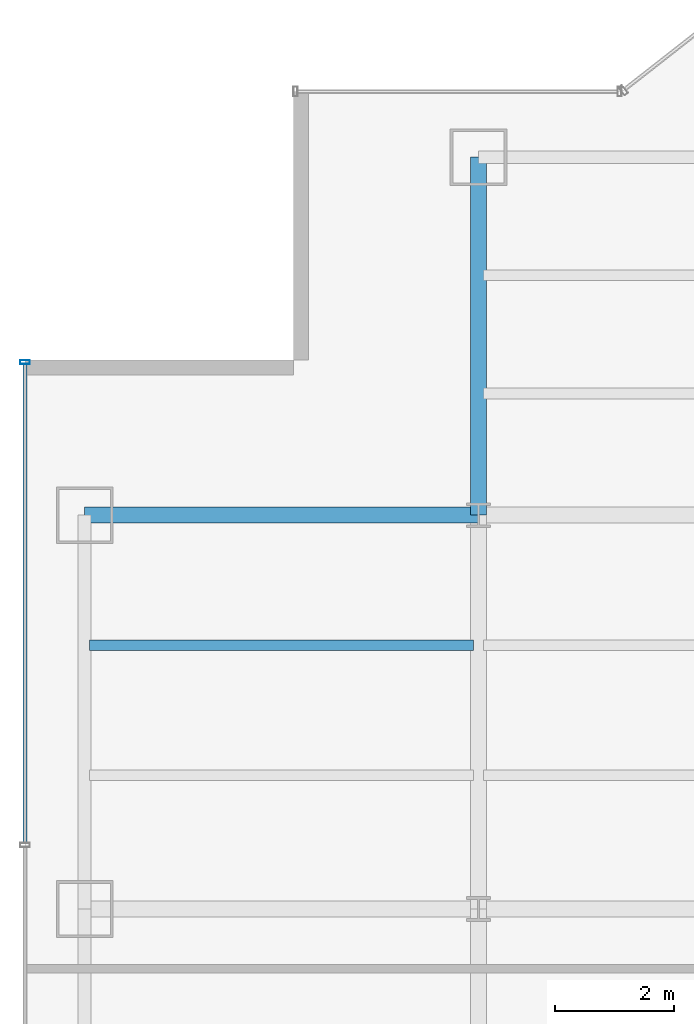
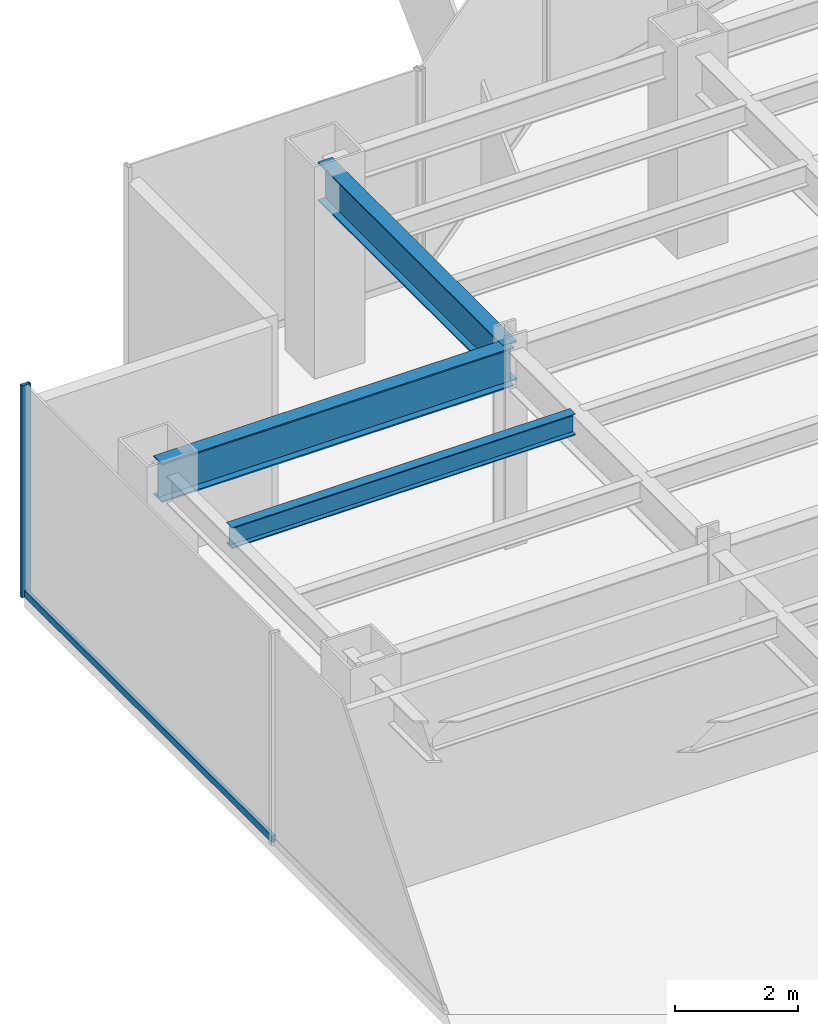
# One storey, part 16 of 35: 3 beams, 2 members, 1 element without a shape of its own.
"""IFC4 building model written with IfcOpenShell, lengths in metres."""

import ifcopenshell
import ifcopenshell.guid

model = None  # the IFC model being written
_history = None  # IfcOwnerHistory: only IFC2X3 demands one
_inside = {}  # id of a spatial element -> (the spatial element, [elements in it])
_under = {}  # id of a project, library or spatial element -> (it, [spatial elements below it])
_declared = {}  # id of a project -> (the project, [libraries it declares])
_typed = {}  # id of a type object -> (the type object, [elements of that type])
_made_of = {}  # id of a material, layer set ... -> (it, [elements and type objects made of it])


def new_model(schema):
    """Start an empty IFC model of exactly this schema.

    Asked for "IFC4X3", IfcOpenShell would pick the latest addendum, in which some entities
    have other attributes; the version numbers below select the first issue.
    IFC2X3 requires an IfcOwnerHistory on every rooted entity: one is made here for all.
    """
    global model, _history
    if schema == "IFC4X3":
        model = ifcopenshell.file(schema_version=(4, 3, 0, 0))
    else:
        model = ifcopenshell.file(schema=schema)
    _inside.clear()
    _under.clear()
    _declared.clear()
    _typed.clear()
    _made_of.clear()
    _history = None
    if model.schema == "IFC2X3":
        org = make("IfcOrganization", Name="unknown")
        user = make(
            "IfcPersonAndOrganization",
            ThePerson=make("IfcPerson", FamilyName="unknown"),
            TheOrganization=org,
        )
        app = make(
            "IfcApplication",
            ApplicationDeveloper=org,
            Version="unknown",
            ApplicationFullName="unknown",
            ApplicationIdentifier="unknown",
        )
        _history = make(
            "IfcOwnerHistory",
            OwningUser=user,
            OwningApplication=app,
            ChangeAction="ADDED",
            CreationDate=0,
        )
    return model


def make(cls, **values):
    """One entity of the class cls with the attributes given. An attribute that is None is left unset."""
    return model.create_entity(
        cls, **{name: value for name, value in values.items() if value is not None}
    )


def rooted(cls, **values):
    """An entity with a GlobalId (a new one), such as an element, a storey or a relation."""
    return make(cls, GlobalId=ifcopenshell.guid.new(), OwnerHistory=_history, **values)


def si_unit(unit_type, name, prefix=None):
    """IfcSIUnit, for example si_unit("LENGTHUNIT", "METRE", prefix="MILLI")."""
    return make("IfcSIUnit", UnitType=unit_type, Prefix=prefix, Name=name)


def derived_unit(unit_type, elements):
    """IfcDerivedUnit: a product of units, each with its exponent."""
    return make(
        "IfcDerivedUnit",
        Elements=[
            make("IfcDerivedUnitElement", Unit=unit, Exponent=power)
            for unit, power in elements
        ],
        UnitType=unit_type,
    )


def assignment(units):
    """IfcUnitAssignment: the units of a project."""
    return None if units is None else make("IfcUnitAssignment", Units=units)


def point(xyz):
    """IfcCartesianPoint."""
    return None if xyz is None else make("IfcCartesianPoint", Coordinates=xyz)


def direction(xyz):
    """IfcDirection."""
    return None if xyz is None else make("IfcDirection", DirectionRatios=xyz)


def frame(location, z_axis=None, x_axis=None):
    """IfcAxis2Placement3D, a coordinate frame: its origin and axes. An axis left out is left unset."""
    return make(
        "IfcAxis2Placement3D",
        Location=point(location),
        Axis=direction(z_axis),
        RefDirection=direction(x_axis),
    )


def frame_2d(location, x_axis=None):
    """IfcAxis2Placement2D, a coordinate frame in the plane: its origin and x axis."""
    return make(
        "IfcAxis2Placement2D", Location=point(location), RefDirection=direction(x_axis)
    )


def origin():
    """The frame at (0, 0, 0) with its axes left unset."""
    return frame((0.0, 0.0, 0.0))


def origin_2d():
    """The frame at (0, 0) in the plane with its x axis left unset."""
    return frame_2d((0.0, 0.0))


def place(relative_to, where):
    """IfcLocalPlacement: puts the frame where relative to a parent placement (None: the world)."""
    return make(
        "IfcLocalPlacement", PlacementRelTo=relative_to, RelativePlacement=where
    )


def context(
    kind, dimensions, precision=None, world=None, true_north=None, identifier=None
):
    """IfcGeometricRepresentationContext, for example the 3D "Model" context."""
    return make(
        "IfcGeometricRepresentationContext",
        ContextIdentifier=identifier,
        ContextType=kind,
        CoordinateSpaceDimension=dimensions,
        Precision=precision,
        WorldCoordinateSystem=world,
        TrueNorth=true_north,
    )


def subcontext(parent, identifier, kind, view, scale=None):
    """IfcGeometricRepresentationSubContext, for example "Body" below "Model"."""
    return make(
        "IfcGeometricRepresentationSubContext",
        ContextIdentifier=identifier,
        ContextType=kind,
        ParentContext=parent,
        TargetScale=scale,
        TargetView=view,
    )


def project(units=None, contexts=None):
    """IfcProject with its units and contexts."""
    return rooted(
        "IfcProject",
        Name="project",
        RepresentationContexts=contexts,
        UnitsInContext=assignment(units),
    )


def spatial(cls, under=None, at=None, **own):
    """A site, building, storey or space (cls), placed at a placement, below another one or the project."""
    s = rooted(cls, ObjectPlacement=at, **own)
    if under is not None:
        _under.setdefault(under.id(), (under, []))[1].append(s)
    return s


def profile(cls, at=None, kind="AREA", **sizes):
    """A parametric profile (cls). Its sizes go by their IFC names, for example OverallWidth=200.0."""
    return make(cls, ProfileType=kind, Position=at, **sizes)


def hollow_rectangle(**sizes):
    """IfcRectangleHollowProfileDef."""
    return profile("IfcRectangleHollowProfileDef", **sizes)


def i_section(**sizes):
    """IfcIShapeProfileDef."""
    return profile("IfcIShapeProfileDef", **sizes)


def extrude(swept, where, along, depth):
    """IfcExtrudedAreaSolid: the profile swept, set in the frame where, extruded along a direction by depth."""
    return make(
        "IfcExtrudedAreaSolid",
        SweptArea=swept,
        Position=where,
        ExtrudedDirection=direction(along),
        Depth=depth,
    )


def shape(context_of_items, identifier, shape_type, items):
    """IfcShapeRepresentation: the items that make up one representation, for example the "Body"."""
    return make(
        "IfcShapeRepresentation",
        ContextOfItems=context_of_items,
        RepresentationIdentifier=identifier,
        RepresentationType=shape_type,
        Items=items,
    )


def source(mapping_origin, context_of_items, identifier, shape_type, items):
    """IfcRepresentationMap: a shape defined once, which mapped items show again and again."""
    return make(
        "IfcRepresentationMap",
        MappingOrigin=mapping_origin,
        MappedRepresentation=shape(context_of_items, identifier, shape_type, items),
    )


def transform(
    local_origin,
    x_axis=None,
    y_axis=None,
    z_axis=None,
    scale=None,
    scale2=None,
    scale3=None,
    uniform=True,
):
    """IfcCartesianTransformationOperator3D, or its non-uniform kind. x_axis, y_axis, z_axis: its Axis1, 2, 3."""
    if uniform:
        return make(
            "IfcCartesianTransformationOperator3D",
            Axis1=direction(x_axis),
            Axis2=direction(y_axis),
            LocalOrigin=point(local_origin),
            Scale=scale,
            Axis3=direction(z_axis),
        )
    return make(
        "IfcCartesianTransformationOperator3DnonUniform",
        Axis1=direction(x_axis),
        Axis2=direction(y_axis),
        LocalOrigin=point(local_origin),
        Scale=scale,
        Axis3=direction(z_axis),
        Scale2=scale2,
        Scale3=scale3,
    )


def mapped(mapping_source, mapping_target):
    """IfcMappedItem: shows the shape of a source again, moved by a transform."""
    return make(
        "IfcMappedItem", MappingSource=mapping_source, MappingTarget=mapping_target
    )


def material(Name=None, Category=None):
    """IfcMaterial."""
    return make("IfcMaterial", Name=Name, Category=Category)


def material_profile(
    of_material, cross_section, Name=None, Category=None, Priority=None
):
    """IfcMaterialProfile: a cross section and its material."""
    return make(
        "IfcMaterialProfile",
        Name=Name,
        Material=of_material,
        Profile=cross_section,
        Priority=Priority,
        Category=Category,
    )


def profile_set(profiles, Name=None, composite=None):
    """IfcMaterialProfileSet."""
    return make(
        "IfcMaterialProfileSet",
        Name=Name,
        MaterialProfiles=profiles,
        CompositeProfile=composite,
    )


def made_of(thing, what):
    """Note that an element or type object is made of a material, layer set ...; save() writes the relation."""
    if what is not None:
        _made_of.setdefault(what.id(), (what, []))[1].append(thing)
    return thing


def type_object(cls, material=None, **own):
    """A type object (cls), such as IfcWallType, which elements share."""
    return made_of(rooted(cls, **own), material)


def element(
    cls,
    number,
    at=None,
    inside=None,
    cuts=None,
    type_object=None,
    material=None,
    context=None,
    identifier="Body",
    shape_type=None,
    held_by="IfcProductDefinitionShape",
    body=None,
    shapes=None,
    **own,
):
    """One element of the class cls, such as IfcWall. Its Tag is "e" and its number.

    at: its placement. inside: the storey or other place that contains it. cuts: it is an
    opening in that element (IfcRelVoidsElement). A single representation is given by context,
    identifier, shape_type and body (its items); several are given by shapes. held_by: the class
    of the entity that holds the representations. save() writes the other relations.
    """
    e = rooted(cls, Tag="e%d" % number, ObjectPlacement=at, **own)
    if body is not None:
        shapes = [shape(context, identifier, shape_type, body)]
    if shapes is not None:
        e.Representation = make(held_by, Representations=shapes)
    if inside is not None:
        _inside.setdefault(inside.id(), (inside, []))[1].append(e)
    if cuts is not None:
        rooted(
            "IfcRelVoidsElement", RelatingBuildingElement=cuts, RelatedOpeningElement=e
        )
    if type_object is not None:
        _typed.setdefault(type_object.id(), (type_object, []))[1].append(e)
    return made_of(e, material)


def aggregate(whole, parts):
    """IfcRelAggregates: a whole, such as a stair, and the parts it consists of."""
    return rooted("IfcRelAggregates", RelatingObject=whole, RelatedObjects=parts)


def save(model, path):
    """Write the relations noted so far, then the file.

    IfcRelAggregates (storeys below a building ...), IfcRelContainedInSpatialStructure (elements
    in a storey), IfcRelDefinesByType, IfcRelAssociatesMaterial and IfcRelDeclares: one each for
    every whole, place, type object, material and project.
    """
    for whole, parts in _under.values():
        aggregate(whole, parts)
    for where, things in _inside.values():
        rooted(
            "IfcRelContainedInSpatialStructure",
            RelatedElements=things,
            RelatingStructure=where,
        )
    for kind, things in _typed.values():
        rooted("IfcRelDefinesByType", RelatedObjects=things, RelatingType=kind)
    for what, things in _made_of.values():
        rooted("IfcRelAssociatesMaterial", RelatedObjects=things, RelatingMaterial=what)
    for by, libraries in _declared.values():
        rooted("IfcRelDeclares", RelatingContext=by, RelatedDefinitions=libraries)
    model.write(path)


model = new_model("IFC4")

# Units and contexts
model_context = context("Model", 3, precision=1e-05, world=origin(), true_north=direction((0.0, 1.0)))
body_context = subcontext(model_context, "Body", "Model", "MODEL_VIEW")
ifc_project = project(units=[si_unit("LENGTHUNIT", "METRE"), si_unit("AREAUNIT", "SQUARE_METRE"), si_unit("VOLUMEUNIT", "CUBIC_METRE"), si_unit("PLANEANGLEUNIT", "RADIAN"), si_unit("MASSUNIT", "GRAM", prefix="KILO"), derived_unit("THERMALTRANSMITTANCEUNIT", [(si_unit("POWERUNIT", "WATT"), 1), (si_unit("LENGTHUNIT", "METRE"), -2), (si_unit("THERMODYNAMICTEMPERATUREUNIT", "KELVIN"), -1)])], contexts=[model_context])

# Site, building, storey
site_placement = place(None, origin())
site = spatial("IfcSite", under=ifc_project, at=site_placement, CompositionType="ELEMENT")
building_placement = place(site_placement, origin())
building = spatial("IfcBuilding", under=site, at=building_placement, Name="Skarnbrae Concourse Arena and Tower", CompositionType="ELEMENT")
storey_placement = place(building_placement, frame((0.0, 0.0, 79.949951171875)))
storey = spatial("IfcBuildingStorey", under=building, at=storey_placement, Name="L19", CompositionType="ELEMENT", Elevation=79.949951171875)

# Beams
ifc_material_1 = material(Name="Steel CSA G40.21 350W", Category="steel")
ifc_material_profile_1 = material_profile(ifc_material_1, i_section(OverallWidth=0.26806640625, OverallDepth=0.77001953125, WebThickness=0.015625, FlangeThickness=0.025390625, at=origin_2d()), Name="W760X196")
ifc_profile_set_1 = profile_set([ifc_material_profile_1], Name="Steel CSA G40.21 350W")
beam_type_1 = type_object("IfcBeamType", Name="BM-GIRD-W760X196", PredefinedType="BEAM", material=ifc_profile_set_1)
shared_shape_1 = source(origin(), body_context, "Body", "SweptSolid", [
    extrude(i_section(OverallWidth=0.26806640625, OverallDepth=0.77001953125, WebThickness=0.015625, FlangeThickness=0.025390625, at=origin_2d()), origin(), (0.0, 0.0, 1.0), 6.60009765625),
])
beam_1_placement = place(storey_placement, frame((1.0, 34.39990234375, 3.51513671875), z_axis=(1.0, 0.0, 0.0), x_axis=(0.0, 1.0, 0.0)))
element("IfcBeam", 1, at=beam_1_placement, inside=storey, type_object=beam_type_1, Name="L19 Primary E-W girder Y34.4-1", PredefinedType="BEAM", context=body_context, shape_type="MappedRepresentation", body=[
    mapped(shared_shape_1, transform((0.0, 0.0, 0.0))),
])
shared_shape_2 = source(origin(), body_context, "Body", "SweptSolid", [
    extrude(i_section(OverallWidth=0.26806640625, OverallDepth=0.77001953125, WebThickness=0.015625, FlangeThickness=0.025390625, at=origin_2d()), origin(), (0.0, 0.0, 1.0), 6.0),
])
beam_2_placement = place(storey_placement, frame((7.60009765625, 34.39990234375, 3.51513671875), z_axis=(0.0, 1.0, 0.0), x_axis=(-1.0, 0.0, 0.0)))
element("IfcBeam", 2, at=beam_2_placement, inside=storey, type_object=beam_type_1, Name="L19 Primary N-S girder X7.6-4", PredefinedType="BEAM", context=body_context, shape_type="MappedRepresentation", body=[
    mapped(shared_shape_2, transform((0.0, 0.0, 0.0))),
])
ifc_material_profile_2 = material_profile(ifc_material_1, i_section(OverallWidth=0.180908203125, OverallDepth=0.4169921875, WebThickness=0.010986328125, FlangeThickness=0.018310546875, at=origin_2d()), Name="W410X85")
ifc_profile_set_2 = profile_set([ifc_material_profile_2], Name="Steel CSA G40.21 350W")
beam_type_2 = type_object("IfcBeamType", Name="BM-JOIST-W410X85", PredefinedType="JOIST", material=ifc_profile_set_2)
shared_shape_3 = source(origin(), body_context, "Body", "SweptSolid", [
    extrude(i_section(OverallWidth=0.180908203125, OverallDepth=0.4169921875, WebThickness=0.010986328125, FlangeThickness=0.018310546875, at=origin_2d()), origin(), (0.0, 0.0, 1.0), 6.43994140625),
])
beam_3_placement = place(storey_placement, frame((1.080078125, 32.221923828125, 3.691650390625), z_axis=(1.0, 0.0, 0.0), x_axis=(0.0, 1.0, 0.0)))
element("IfcBeam", 3, at=beam_3_placement, inside=storey, type_object=beam_type_2, Name="L19 Secondary floor joist 3.2.1", PredefinedType="JOIST", context=body_context, shape_type="MappedRepresentation", body=[
    mapped(shared_shape_3, transform((0.0, 0.0, 0.0))),
])

# Curtain wall, members
ifc_material_2 = material(Name="Bronze anodised aluminium 6063-T6", Category="aluminium")
curtain_wall_type = type_object("IfcCurtainWallType", Name="CW-SYS-06-SKYLOBBY", PredefinedType="USERDEFINED", material=ifc_material_2)
curtain_wall_placement = place(storey_placement, origin())
curtain_wall = element("IfcCurtainWall", 4, at=curtain_wall_placement, inside=storey, type_object=curtain_wall_type, Name="L19 Unitised curtain wall CW-L19-E19", ObjectType="UNITISED CURTAIN WALL", PredefinedType="USERDEFINED")
ifc_material_profile_3 = material_profile(ifc_material_2, hollow_rectangle(XDim=0.070068359375, YDim=0.1650390625, WallThickness=0.00390625, at=origin_2d()), Name="ALU-MULL-70X165")
ifc_profile_set_3 = profile_set([ifc_material_profile_3], Name="Bronze anodised aluminium 6063-T6")
member_type_1 = type_object("IfcMemberType", Name="CWM-CW-06", PredefinedType="MULLION", material=ifc_profile_set_3)
shared_shape_4 = source(origin(), body_context, "Body", "SweptSolid", [
    extrude(hollow_rectangle(XDim=0.070068359375, YDim=0.1650390625, WallThickness=0.00390625, at=origin_2d()), origin(), (0.0, 0.0, 1.0), 4.199951171875),
])
member_1_placement = place(storey_placement, frame((0.0, 36.965087890625, 0.0), z_axis=(0.0, 0.0, 1.0), x_axis=(0.0, -1.0, 0.0)))
member_1 = element("IfcMember", 5, at=member_1_placement, type_object=member_type_1, Name="CW-L19-E19 Mullion 1", PredefinedType="MULLION", context=body_context, shape_type="MappedRepresentation", body=[
    mapped(shared_shape_4, transform((0.0, 0.0, 0.0))),
])
ifc_material_profile_4 = material_profile(ifc_material_2, hollow_rectangle(XDim=0.070068359375, YDim=0.135009765625, WallThickness=0.00390625, at=origin_2d()), Name="ALU-TRAN-70X135")
ifc_profile_set_4 = profile_set([ifc_material_profile_4], Name="Bronze anodised aluminium 6063-T6")
member_type_2 = type_object("IfcMemberType", Name="CWT-CW-06", PredefinedType="USERDEFINED", material=ifc_profile_set_4)
shared_shape_5 = source(origin(), body_context, "Body", "SweptSolid", [
    extrude(hollow_rectangle(XDim=0.070068359375, YDim=0.135009765625, WallThickness=0.00390625, at=origin_2d()), origin(), (0.0, 0.0, 1.0), 8.02001953125),
])
member_2_placement = place(storey_placement, frame((0.0, 36.929931640625, 0.067626953125), z_axis=(0.0, -1.0, 0.0), x_axis=(1.0, 0.0, 0.0)))
member_2 = element("IfcMember", 6, at=member_2_placement, type_object=member_type_2, Name="CW-L19-E19 Transom 1", ObjectType="TRANSOM", PredefinedType="USERDEFINED", context=body_context, shape_type="MappedRepresentation", body=[
    mapped(shared_shape_5, transform((0.0, 0.0, 0.0))),
])
aggregate(curtain_wall, [member_1, member_2])

save(model, "model.ifc")
